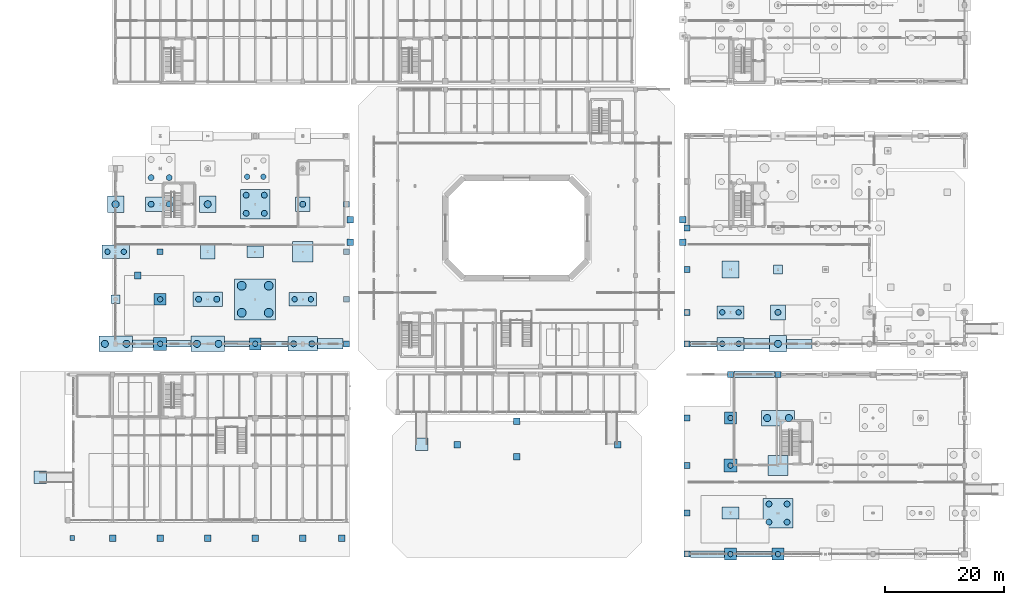
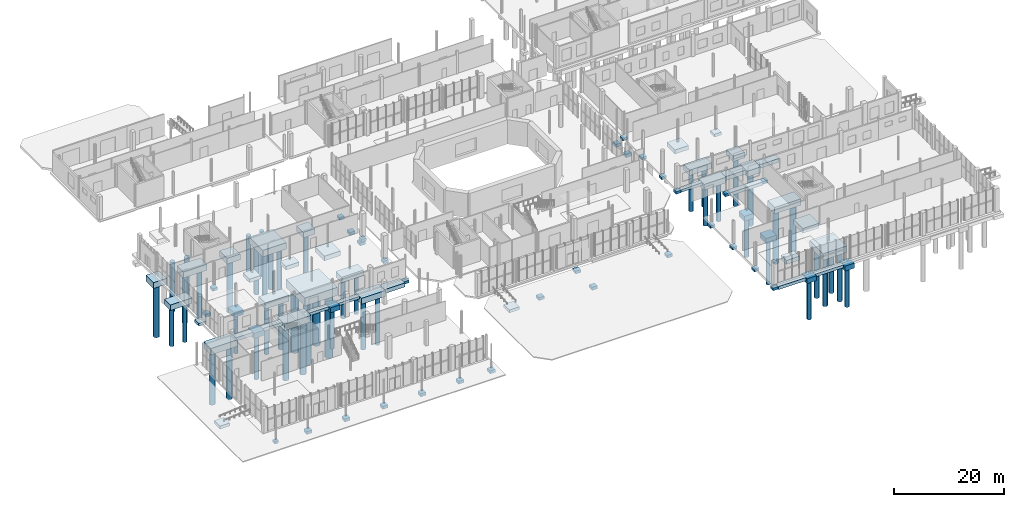
# One storey, part 1 of 87: 77 footings, 48 piles.
"""IFC4 building model written with IfcOpenShell, lengths in metres."""

from ifc_helpers import new_model, si_unit, direction, frame, origin, origin_2d, place, context, subcontext, project, spatial, rectangle, circle, extrude, material, material_profile, profile_set, type_object, element, save


model = new_model("IFC4")

# Units and contexts
model_context = context("Model", 3, precision=1e-05, world=origin(), true_north=direction((0.0, 1.0)))
body_context = subcontext(model_context, "Body", "Model", "MODEL_VIEW")
ifc_project = project(units=[si_unit("LENGTHUNIT", "METRE"), si_unit("AREAUNIT", "SQUARE_METRE"), si_unit("VOLUMEUNIT", "CUBIC_METRE"), si_unit("PLANEANGLEUNIT", "RADIAN"), si_unit("MASSUNIT", "GRAM", prefix="KILO")], contexts=[model_context])

# Site, building, storey
site_placement = place(None, origin())
site = spatial("IfcSite", under=ifc_project, at=site_placement, CompositionType="ELEMENT")
building_placement = place(site_placement, origin())
building = spatial("IfcBuilding", under=site, at=building_placement, Name="Brisemont Oceanarium", CompositionType="ELEMENT")
storey_placement = place(building_placement, origin())
storey = spatial("IfcBuildingStorey", under=building, at=storey_placement, Name="L00", CompositionType="ELEMENT", Elevation=0.0)

# Footings
ifc_material_1 = material(Name="Concrete C40/50", Category="concrete")
footing_type_1 = type_object("IfcFootingType", Name="FTG-PAD-1000", PredefinedType="PAD_FOOTING", material=ifc_material_1)
for number, where, z_axis, x_axis, name in (
    (1, (112.64990234375, 1.10009765625, -1.10009765625), (0.0, 0.0, 1.0), (1.0, 0.0, 0.0), "PF-15 spread footing at (112.7,1.1)"),
    (2, (112.64990234375, 8.0, -1.10009765625), (0.0, 0.0, 1.0), (1.0, 0.0, 0.0), "PF-15 spread footing at (112.7,8.0)"),
    (3, (112.64990234375, 16.0, -1.10009765625), (0.0, 0.0, 1.0), (1.0, 0.0, 0.0), "PF-15 spread footing at (112.7,16.0)"),
    (4, (112.64990234375, 24.0, -1.10009765625), (0.0, 0.0, 1.0), (1.0, 0.0, 0.0), "PF-15 spread footing at (112.7,24.0)"),
    (5, (120.0, 31.35009765625, -1.10009765625), (0.0, 0.0, 1.0), (1.0, 0.0, 0.0), "PF-15 spread footing at (120.0,31.4)"),
    (6, (128.0, 31.35009765625, -1.10009765625), (0.0, 0.0, 1.0), (1.0, 0.0, 0.0), "PF-15 spread footing at (128.0,31.4)"),
    (7, (24.0, 52.0, -1.06005859375), (0.0, 0.0, 1.0), (1.0, 0.0, 0.0), "PF-15 spread footing at (24.0,52.0)"),
    (8, (55.35009765625, 36.5, -1.06005859375), (0.0, 0.0, 1.0), (1.0, 0.0, 0.0), "PF-15 spread footing at (55.4,36.5)"),
    (9, (55.35009765625, 44.0, -1.06005859375), (0.0, 0.0, 1.0), (1.0, 0.0, 0.0), "PF-15 spread footing at (55.4,44.0)"),
    (10, (55.35009765625, 52.0, -1.06005859375), (0.0, 0.0, 1.0), (1.0, 0.0, 0.0), "PF-15 spread footing at (55.4,52.0)"),
    (11, (55.35009765625, 60.0, -1.06005859375), (0.0, 0.0, 1.0), (1.0, 0.0, 0.0), "PF-15 spread footing at (55.4,60.0)"),
    (12, (112.64990234375, 36.5, -1.06005859375), (0.0, 0.0, 1.0), (1.0, 0.0, 0.0), "PF-15 spread footing at (112.7,36.5)"),
    (13, (112.64990234375, 41.800048828125, -1.06005859375), (0.0, 0.0, 1.0), (1.0, 0.0, 0.0), "PF-15 spread footing at (112.7,41.8)"),
    (14, (112.64990234375, 49.0, -1.06005859375), (0.0, 0.0, 1.0), (1.0, 0.0, 0.0), "PF-15 spread footing at (112.7,49.0)"),
    (15, (112.64990234375, 56.0, -1.06005859375), (0.0, 0.0, 1.0), (1.0, 0.0, 0.0), "PF-15 spread footing at (112.7,56.0)"),
):
    element("IfcFooting", number, at=place(storey_placement, frame(where, z_axis=z_axis, x_axis=x_axis)), inside=storey, type_object=footing_type_1, Name=name, PredefinedType="PAD_FOOTING", context=body_context, shape_type="SweptSolid", body=[
        extrude(rectangle(XDim=1.0, YDim=1.0, at=origin_2d()), origin(), (0.0, 0.0, 1.0), 0.60009765625),
    ])
ifc_material_2 = material(Name="Concrete C40/50", Category="concrete")
footing_type_2 = type_object("IfcFootingType", Name="FTG-PAD-1100", PredefinedType="PAD_FOOTING", material=ifc_material_2)
for number, where, z_axis, x_axis, name in (
    (16, (74.0, 19.5, -0.869873046875), (0.0, 0.0, 1.0), (1.0, 0.0, 0.0), "Apron support pad V1PT-1"),
    (17, (101.0, 19.5, -0.869873046875), (0.0, 0.0, 1.0), (1.0, 0.0, 0.0), "Apron support pad V1PT-2"),
    (18, (84.0, 23.5, -0.869873046875), (0.0, 0.0, 1.0), (1.0, 0.0, 0.0), "Apron support pad V1PT-3"),
    (19, (84.0, 17.5, -0.869873046875), (0.0, 0.0, 1.0), (1.0, 0.0, 0.0), "Apron support pad V1PT-4"),
    (20, (56.0, 53.6201171875, -3.050048828125), (0.0, 0.0, 1.0), (1.0, 0.0, 0.0), "PF-14 spread footing at (56.0,53.6)"),
    (21, (56.0, 57.3798828125, -3.050048828125), (0.0, 0.0, 1.0), (1.0, 0.0, 0.0), "PF-14 spread footing at (56.0,57.4)"),
    (22, (112.0, 53.6201171875, -3.050048828125), (0.0, 0.0, 1.0), (1.0, 0.0, 0.0), "PF-14 spread footing at (112.0,53.6)"),
    (23, (112.0, 57.3798828125, -3.050048828125), (0.0, 0.0, 1.0), (1.0, 0.0, 0.0), "PF-14 spread footing at (112.0,57.4)"),
    (24, (20.199951171875, 48.0, -3.050048828125), (0.0, 0.0, 1.0), (1.0, 0.0, 0.0), "PF-14 spread footing at (20.2,48.0)"),
    (25, (16.0, 3.800048828125, -0.869873046875), (0.0, 0.0, 1.0), (1.0, 0.0, 0.0), "PF-14 spread footing at (16.0,3.8)"),
    (26, (24.0, 3.800048828125, -0.869873046875), (0.0, 0.0, 1.0), (1.0, 0.0, 0.0), "PF-14 spread footing at (24.0,3.8)"),
    (27, (32.0, 3.800048828125, -0.869873046875), (0.0, 0.0, 1.0), (1.0, 0.0, 0.0), "PF-14 spread footing at (32.0,3.8)"),
    (28, (40.0, 3.800048828125, -0.869873046875), (0.0, 0.0, 1.0), (1.0, 0.0, 0.0), "PF-14 spread footing at (40.0,3.8)"),
    (29, (48.0, 3.800048828125, -0.869873046875), (0.0, 0.0, 1.0), (1.0, 0.0, 0.0), "PF-14 spread footing at (48.0,3.8)"),
    (30, (54.60009765625, 3.800048828125, -0.869873046875), (0.0, 0.0, 1.0), (1.0, 0.0, 0.0), "PF-14 spread footing at (54.6,3.8)"),
):
    element("IfcFooting", number, at=place(storey_placement, frame(where, z_axis=z_axis, x_axis=x_axis)), inside=storey, type_object=footing_type_2, Name=name, PredefinedType="PAD_FOOTING", context=body_context, shape_type="SweptSolid", body=[
        extrude(rectangle(XDim=1.10009765625, YDim=1.10009765625, at=origin_2d()), origin(), (0.0, 0.0, 1.0), 0.64990234375),
    ])
ifc_material_3 = material(Name="Concrete C40/50", Category="concrete")
footing_type_3 = type_object("IfcFootingType", Name="FTG-PAD-1500", PredefinedType="PAD_FOOTING", material=ifc_material_3)
for number, where, z_axis, x_axis, name in (
    (31, (16.5, 44.0, -1.06005859375), (0.0, 0.0, 1.0), (1.0, 0.0, 0.0), "PF-09 spread footing at (16.5,44.0)"),
    (32, (128.0, 49.0, -1.06005859375), (0.0, 0.0, 1.0), (1.0, 0.0, 0.0), "PF-09 spread footing at (128.0,49.0)"),
):
    element("IfcFooting", number, at=place(storey_placement, frame(where, z_axis=z_axis, x_axis=x_axis)), inside=storey, type_object=footing_type_3, Name=name, PredefinedType="PAD_FOOTING", context=body_context, shape_type="SweptSolid", body=[
        extrude(rectangle(XDim=1.5, YDim=1.5, at=origin_2d()), origin(), (0.0, 0.0, 1.0), 0.60009765625),
    ])
ifc_material_4 = material(Name="Concrete C40/50", Category="concrete")
footing_type_4 = type_object("IfcFootingType", Name="FTG-PAD-2100", PredefinedType="PAD_FOOTING", material=ifc_material_4)
for number, where, z_axis, x_axis, name in (
    (33, (3.800048828125, 14.0, -1.079833984375), (0.0, 0.0, 1.0), (1.0, 0.0, 0.0), "Ramp abutment pad 1A"),
    (34, (68.0, 19.60009765625, -1.079833984375), (0.0, 0.0, 1.0), (1.0, 0.0, 0.0), "Ramp abutment pad 2A"),
):
    element("IfcFooting", number, at=place(storey_placement, frame(where, z_axis=z_axis, x_axis=x_axis)), inside=storey, type_object=footing_type_4, Name=name, PredefinedType="PAD_FOOTING", context=body_context, shape_type="SweptSolid", body=[
        extrude(rectangle(XDim=2.10009765625, YDim=2.10009765625, at=origin_2d()), origin(), (0.0, 0.0, 1.0), 0.64990234375),
    ])
ifc_material_5 = material(Name="Concrete C40/50", Category="concrete")
footing_type_5 = type_object("IfcFootingType", Name="FTG-PAD-2400", PredefinedType="PAD_FOOTING", material=ifc_material_5)
footing_1_placement = place(storey_placement, frame((32.0, 52.0, -1.26025390625), z_axis=(0.0, 0.0, 1.0), x_axis=(1.0, 0.0, 0.0)))
element("IfcFooting", 35, at=footing_1_placement, inside=storey, type_object=footing_type_5, Name="PF-05 spread footing at (32.0,52.0)", PredefinedType="PAD_FOOTING", context=body_context, shape_type="SweptSolid", body=[
    extrude(rectangle(XDim=2.39990234375, YDim=2.39990234375, at=origin_2d()), origin(), (0.0, 0.0, 1.0), 0.800048828125),
])
ifc_material_6 = material(Name="Concrete C40/50", Category="concrete")
footing_type_6 = type_object("IfcFootingType", Name="FTG-PAD-2800X2000", PredefinedType="PAD_FOOTING", material=ifc_material_6)
for number, where, z_axis, x_axis, name in (
    (36, (120.0, 8.0, -1.35009765625), (0.0, 0.0, 1.0), (1.0, 0.0, 0.0), "PF-11 spread footing at (120.0,8.0)"),
    (37, (40.0, 52.0, -1.31005859375), (0.0, 0.0, 1.0), (1.0, 0.0, 0.0), "PF-11 spread footing at (40.0,52.0)"),
):
    element("IfcFooting", number, at=place(storey_placement, frame(where, z_axis=z_axis, x_axis=x_axis)), inside=storey, type_object=footing_type_6, Name=name, PredefinedType="PAD_FOOTING", context=body_context, shape_type="SweptSolid", body=[
        extrude(rectangle(XDim=2.800048828125, YDim=2.0, at=origin_2d()), origin(), (0.0, 0.0, 1.0), 0.85009765625),
    ])
ifc_material_7 = material(Name="Concrete C40/50", Category="concrete")
footing_type_7 = type_object("IfcFootingType", Name="FTG-PAD-2900", PredefinedType="PAD_FOOTING", material=ifc_material_7)
footing_2_placement = place(storey_placement, frame((120.0, 49.0, -1.35986328125), z_axis=(0.0, 0.0, 1.0), x_axis=(1.0, 0.0, 0.0)))
element("IfcFooting", 38, at=footing_2_placement, inside=storey, type_object=footing_type_7, Name="PF-03 spread footing at (120.0,49.0)", PredefinedType="PAD_FOOTING", context=body_context, shape_type="SweptSolid", body=[
    extrude(rectangle(XDim=2.89990234375, YDim=2.89990234375, at=origin_2d()), origin(), (0.0, 0.0, 1.0), 0.89990234375),
])
ifc_material_8 = material(Name="Concrete C40/50", Category="concrete")
footing_type_8 = type_object("IfcFootingType", Name="FTG-PAD-3400", PredefinedType="PAD_FOOTING", material=ifc_material_8)
for number, where, z_axis, x_axis, name in (
    (39, (128.0, 16.0, -1.5498046875), (0.0, 0.0, 1.0), (1.0, 0.0, 0.0), "PF-01 spread footing at (128.0,16.0)"),
    (40, (48.0, 52.0, -1.51025390625), (0.0, 0.0, 1.0), (1.0, 0.0, 0.0), "PF-01 spread footing at (48.0,52.0)"),
):
    element("IfcFooting", number, at=place(storey_placement, frame(where, z_axis=z_axis, x_axis=x_axis)), inside=storey, type_object=footing_type_8, Name=name, PredefinedType="PAD_FOOTING", context=body_context, shape_type="SweptSolid", body=[
        extrude(rectangle(XDim=3.39990234375, YDim=3.39990234375, at=origin_2d()), origin(), (0.0, 0.0, 1.0), 1.050048828125),
    ])
ifc_material_9 = material(Name="Concrete C40/50", Category="concrete")
footing_type_9 = type_object("IfcFootingType", Name="FTG-PAD-800", PredefinedType="PAD_FOOTING", material=ifc_material_9)
footing_3_placement = place(storey_placement, frame((9.199951171875, 3.800048828125, -0.77001953125), z_axis=(0.0, 0.0, 1.0), x_axis=(1.0, 0.0, 0.0)))
element("IfcFooting", 41, at=footing_3_placement, inside=storey, type_object=footing_type_9, Name="PF-16 spread footing at (9.2,3.8)", PredefinedType="PAD_FOOTING", context=body_context, shape_type="SweptSolid", body=[
    extrude(rectangle(XDim=0.800048828125, YDim=0.800048828125, at=origin_2d()), origin(), (0.0, 0.0, 1.0), 0.550048828125),
])
ifc_material_10 = material(Name="Concrete C40/50", Category="concrete")
footing_type_10 = type_object("IfcFootingType", Name="FTG-PC-1P-2000", PredefinedType="PILE_CAP", material=ifc_material_10)
for number, where, z_axis, x_axis, name in (
    (42, (120.0, 1.10009765625, -1.60009765625), (0.0, 0.0, 1.0), (1.0, 0.0, 0.0), "PC-11 pile cap at (120.0,1.1)"),
    (43, (120.0, 24.0, -1.60009765625), (0.0, 0.0, 1.0), (1.0, 0.0, 0.0), "PC-11 pile cap at (120.0,24.0)"),
    (44, (128.0, 1.10009765625, -1.60009765625), (0.0, 0.0, 1.0), (1.0, 0.0, 0.0), "PC-11 pile cap at (128.0,1.1)"),
    (45, (24.0, 44.0, -1.56005859375), (0.0, 0.0, 1.0), (1.0, 0.0, 0.0), "PC-11 pile cap at (24.0,44.0)"),
    (46, (40.0, 36.5, -1.56005859375), (0.0, 0.0, 1.0), (1.0, 0.0, 0.0), "PC-11 pile cap at (40.0,36.5)"),
):
    element("IfcFooting", number, at=place(storey_placement, frame(where, z_axis=z_axis, x_axis=x_axis)), inside=storey, type_object=footing_type_10, Name=name, PredefinedType="PILE_CAP", context=body_context, shape_type="SweptSolid", body=[
        extrude(rectangle(XDim=2.0, YDim=2.0, at=origin_2d()), origin(), (0.0, 0.0, 1.0), 1.10009765625),
    ])
ifc_material_11 = material(Name="Concrete C40/50", Category="concrete")
footing_type_11 = type_object("IfcFootingType", Name="FTG-PC-1P-2200", PredefinedType="PILE_CAP", material=ifc_material_11)
for number, where, z_axis, x_axis, name in (
    (47, (120.0, 16.0, -1.64990234375), (0.0, 0.0, 1.0), (1.0, 0.0, 0.0), "PC-10 pile cap at (120.0,16.0)"),
    (48, (24.0, 36.5, -1.60986328125), (0.0, 0.0, 1.0), (1.0, 0.0, 0.0), "PC-10 pile cap at (24.0,36.5)"),
):
    element("IfcFooting", number, at=place(storey_placement, frame(where, z_axis=z_axis, x_axis=x_axis)), inside=storey, type_object=footing_type_11, Name=name, PredefinedType="PILE_CAP", context=body_context, shape_type="SweptSolid", body=[
        extrude(rectangle(XDim=2.199951171875, YDim=2.199951171875, at=origin_2d()), origin(), (0.0, 0.0, 1.0), 1.14990234375),
    ])
ifc_material_12 = material(Name="Concrete C40/50", Category="concrete")
footing_type_12 = type_object("IfcFootingType", Name="FTG-PC-1P-2500", PredefinedType="PILE_CAP", material=ifc_material_12)
for number, where, z_axis, x_axis, name in (
    (49, (48.0, 60.0, -1.66015625), (0.0, 0.0, 1.0), (1.0, 0.0, 0.0), "PC-09 pile cap at (48.0,60.0)"),
    (50, (128.0, 41.800048828125, -1.66015625), (0.0, 0.0, 1.0), (1.0, 0.0, 0.0), "PC-09 pile cap at (128.0,41.8)"),
):
    element("IfcFooting", number, at=place(storey_placement, frame(where, z_axis=z_axis, x_axis=x_axis)), inside=storey, type_object=footing_type_12, Name=name, PredefinedType="PILE_CAP", context=body_context, shape_type="SweptSolid", body=[
        extrude(rectangle(XDim=2.5, YDim=2.5, at=origin_2d()), origin(), (0.0, 0.0, 1.0), 1.199951171875),
    ])
ifc_material_13 = material(Name="Concrete C40/50", Category="concrete")
footing_type_13 = type_object("IfcFootingType", Name="FTG-PC-1P-2800", PredefinedType="PILE_CAP", material=ifc_material_13)
for number, where, z_axis, x_axis, name in (
    (51, (16.5, 60.0, -1.76025390625), (0.0, 0.0, 1.0), (1.0, 0.0, 0.0), "PC-08 pile cap at (16.5,60.0)"),
    (52, (32.0, 60.0, -1.76025390625), (0.0, 0.0, 1.0), (1.0, 0.0, 0.0), "PC-08 pile cap at (32.0,60.0)"),
    (53, (128.0, 36.5, -1.76025390625), (0.0, 0.0, 1.0), (1.0, 0.0, 0.0), "PC-08 pile cap at (128.0,36.5)"),
):
    element("IfcFooting", number, at=place(storey_placement, frame(where, z_axis=z_axis, x_axis=x_axis)), inside=storey, type_object=footing_type_13, Name=name, PredefinedType="PILE_CAP", context=body_context, shape_type="SweptSolid", body=[
        extrude(rectangle(XDim=2.800048828125, YDim=2.800048828125, at=origin_2d()), origin(), (0.0, 0.0, 1.0), 1.300048828125),
    ])
ifc_material_14 = material(Name="Concrete C40/50", Category="concrete")
footing_type_14 = type_object("IfcFootingType", Name="FTG-PC-2P-4600", PredefinedType="PILE_CAP", material=ifc_material_14)
for number, where, z_axis, x_axis, name in (
    (54, (16.5, 52.0, -1.7099609375), (0.0, 0.0, 1.0), (1.0, 0.0, 0.0), "PC-07 pile cap at (16.5,52.0)"),
    (55, (48.0, 44.0, -1.7099609375), (0.0, 0.0, 1.0), (1.0, 0.0, 0.0), "PC-07 pile cap at (48.0,44.0)"),
    (56, (120.0, 36.5, -1.7099609375), (0.0, 0.0, 1.0), (1.0, 0.0, 0.0), "PC-07 pile cap at (120.0,36.5)"),
    (57, (120.0, 41.800048828125, -1.7099609375), (0.0, 0.0, 1.0), (1.0, 0.0, 0.0), "PC-07 pile cap at (120.0,41.8)"),
):
    element("IfcFooting", number, at=place(storey_placement, frame(where, z_axis=z_axis, x_axis=x_axis)), inside=storey, type_object=footing_type_14, Name=name, PredefinedType="PILE_CAP", context=body_context, shape_type="SweptSolid", body=[
        extrude(rectangle(XDim=4.60009765625, YDim=2.199951171875, at=origin_2d()), origin(), (0.0, 0.0, 1.0), 1.25),
    ])
ifc_material_15 = material(Name="Concrete C40/50", Category="concrete")
footing_type_15 = type_object("IfcFootingType", Name="FTG-PC-2P-5000", PredefinedType="PILE_CAP", material=ifc_material_15)
for number, where, z_axis, x_axis, name in (
    (58, (24.0, 60.0, -1.81005859375), (0.0, 0.0, 1.0), (1.0, 0.0, 0.0), "PC-06 pile cap at (24.0,60.0)"),
    (59, (32.0, 44.0, -1.81005859375), (0.0, 0.0, 1.0), (1.0, 0.0, 0.0), "PC-06 pile cap at (32.0,44.0)"),
    (60, (48.0, 36.5, -1.81005859375), (0.0, 0.0, 1.0), (1.0, 0.0, 0.0), "PC-06 pile cap at (48.0,36.5)"),
):
    element("IfcFooting", number, at=place(storey_placement, frame(where, z_axis=z_axis, x_axis=x_axis)), inside=storey, type_object=footing_type_15, Name=name, PredefinedType="PILE_CAP", context=body_context, shape_type="SweptSolid", body=[
        extrude(rectangle(XDim=5.0, YDim=2.39990234375, at=origin_2d()), origin(), (0.0, 0.0, 1.0), 1.35009765625),
    ])
ifc_material_16 = material(Name="Concrete C40/50", Category="concrete")
footing_type_16 = type_object("IfcFootingType", Name="FTG-PC-2P-5600", PredefinedType="PILE_CAP", material=ifc_material_16)
for number, where, z_axis, x_axis, name in (
    (61, (128.0, 24.0, -1.9501953125), (0.0, 0.0, 1.0), (1.0, 0.0, 0.0), "PC-05 pile cap at (128.0,24.0)"),
    (62, (16.5, 36.5, -1.91015625), (0.0, 0.0, 1.0), (1.0, 0.0, 0.0), "PC-05 pile cap at (16.5,36.5)"),
    (63, (32.0, 36.5, -1.91015625), (0.0, 0.0, 1.0), (1.0, 0.0, 0.0), "PC-05 pile cap at (32.0,36.5)"),
):
    element("IfcFooting", number, at=place(storey_placement, frame(where, z_axis=z_axis, x_axis=x_axis)), inside=storey, type_object=footing_type_16, Name=name, PredefinedType="PILE_CAP", context=body_context, shape_type="SweptSolid", body=[
        extrude(rectangle(XDim=5.60009765625, YDim=2.60009765625, at=origin_2d()), origin(), (0.0, 0.0, 1.0), 1.449951171875),
    ])
ifc_material_17 = material(Name="Concrete C40/50", Category="concrete")
footing_type_17 = type_object("IfcFootingType", Name="FTG-PC-4P-5000", PredefinedType="PILE_CAP", material=ifc_material_17)
for number, where, z_axis, x_axis, name in (
    (64, (128.0, 8.0, -1.9501953125), (0.0, 0.0, 1.0), (1.0, 0.0, 0.0), "PC-03 pile cap at (128.0,8.0)"),
    (65, (40.0, 60.0, -1.91015625), (0.0, 0.0, 1.0), (1.0, 0.0, 0.0), "PC-03 pile cap at (40.0,60.0)"),
):
    element("IfcFooting", number, at=place(storey_placement, frame(where, z_axis=z_axis, x_axis=x_axis)), inside=storey, type_object=footing_type_17, Name=name, PredefinedType="PILE_CAP", context=body_context, shape_type="SweptSolid", body=[
        extrude(rectangle(XDim=5.0, YDim=5.0, at=origin_2d()), origin(), (0.0, 0.0, 1.0), 1.449951171875),
    ])
ifc_material_18 = material(Name="Concrete C40/50", Category="concrete")
footing_type_18 = type_object("IfcFootingType", Name="FTG-PC-4P-6900", PredefinedType="PILE_CAP", material=ifc_material_18)
footing_4_placement = place(storey_placement, frame((40.0, 44.0, -2.26025390625), z_axis=(0.0, 0.0, 1.0), x_axis=(1.0, 0.0, 0.0)))
element("IfcFooting", 66, at=footing_4_placement, inside=storey, type_object=footing_type_18, Name="PC-01 pile cap at (40.0,44.0)", PredefinedType="PILE_CAP", context=body_context, shape_type="SweptSolid", body=[
    extrude(rectangle(XDim=6.89990234375, YDim=6.89990234375, at=origin_2d()), origin(), (0.0, 0.0, 1.0), 1.800048828125),
])
ifc_material_19 = material(Name="Concrete C40/50", Category="concrete")
footing_type_19 = type_object("IfcFootingType", Name="FTG-SF-1100X700", PredefinedType="STRIP_FOOTING", material=ifc_material_19)
footing_5_placement = place(storey_placement, frame((116.125, 1.10009765625, -1.2001953125), z_axis=(0.0, 0.0, 1.0), x_axis=(1.0, 0.0, 0.0)))
element("IfcFooting", 67, at=footing_5_placement, inside=storey, type_object=footing_type_19, Name="SF-04 continuous strip footing", PredefinedType="STRIP_FOOTING", context=body_context, shape_type="SweptSolid", body=[
    extrude(rectangle(XDim=5.75, YDim=1.10009765625, at=origin_2d()), origin(), (0.0, 0.0, 1.0), 0.699951171875),
])
footing_6_placement = place(storey_placement, frame((124.0, 31.35009765625, -1.2001953125), z_axis=(0.0, 0.0, 1.0), x_axis=(1.0, 0.0, 0.0)))
element("IfcFooting", 68, at=footing_6_placement, inside=storey, type_object=footing_type_19, Name="SF-04 continuous strip footing", PredefinedType="STRIP_FOOTING", context=body_context, shape_type="SweptSolid", body=[
    extrude(rectangle(XDim=6.800048828125, YDim=1.10009765625, at=origin_2d()), origin(), (0.0, 0.0, 1.0), 0.699951171875),
])
footing_7_placement = place(storey_placement, frame((27.14990234375, 36.5, -1.16015625), z_axis=(0.0, 0.0, 1.0), x_axis=(1.0, 0.0, 0.0)))
element("IfcFooting", 69, at=footing_7_placement, inside=storey, type_object=footing_type_19, Name="SF-04 continuous strip footing", PredefinedType="STRIP_FOOTING", context=body_context, shape_type="SweptSolid", body=[
    extrude(rectangle(XDim=4.10009765625, YDim=1.10009765625, at=origin_2d()), origin(), (0.0, 0.0, 1.0), 0.699951171875),
])
ifc_material_20 = material(Name="Concrete C40/50", Category="concrete")
footing_type_20 = type_object("IfcFootingType", Name="FTG-SF-1300X750", PredefinedType="STRIP_FOOTING", material=ifc_material_20)
footing_8_placement = place(storey_placement, frame((21.10009765625, 36.5, -1.2099609375), z_axis=(0.0, 0.0, 1.0), x_axis=(1.0, 0.0, 0.0)))
element("IfcFooting", 70, at=footing_8_placement, inside=storey, type_object=footing_type_20, Name="SF-03 continuous strip footing", PredefinedType="STRIP_FOOTING", context=body_context, shape_type="SweptSolid", body=[
    extrude(rectangle(XDim=3.60009765625, YDim=1.300048828125, at=origin_2d()), origin(), (0.0, 0.0, 1.0), 0.75),
])
ifc_material_21 = material(Name="Concrete C40/50", Category="concrete")
footing_type_21 = type_object("IfcFootingType", Name="FTG-SF-1500X800", PredefinedType="STRIP_FOOTING", material=ifc_material_21)
footing_9_placement = place(storey_placement, frame((131.550048828125, 36.5, -1.26025390625), z_axis=(0.0, 0.0, 1.0), x_axis=(1.0, 0.0, 0.0)))
element("IfcFooting", 71, at=footing_9_placement, inside=storey, type_object=footing_type_21, Name="SF-02 continuous strip footing", PredefinedType="STRIP_FOOTING", context=body_context, shape_type="SweptSolid", body=[
    extrude(rectangle(XDim=4.300048828125, YDim=1.5, at=origin_2d()), origin(), (0.0, 0.0, 1.0), 0.800048828125),
])
ifc_material_22 = material(Name="Concrete C40/50", Category="concrete")
footing_type_22 = type_object("IfcFootingType", Name="FTG-SF-1800X900", PredefinedType="STRIP_FOOTING", material=ifc_material_22)
footing_10_placement = place(storey_placement, frame((52.625, 36.5, -1.35986328125), z_axis=(0.0, 0.0, 1.0), x_axis=(1.0, 0.0, 0.0)))
element("IfcFooting", 72, at=footing_10_placement, inside=storey, type_object=footing_type_22, Name="SF-01 continuous strip footing", PredefinedType="STRIP_FOOTING", context=body_context, shape_type="SweptSolid", body=[
    extrude(rectangle(XDim=4.25, YDim=1.800048828125, at=origin_2d()), origin(), (0.0, 0.0, 1.0), 0.89990234375),
])
footing_11_placement = place(storey_placement, frame((124.449951171875, 36.5, -1.35986328125), z_axis=(0.0, 0.0, 1.0), x_axis=(1.0, 0.0, 0.0)))
element("IfcFooting", 73, at=footing_11_placement, inside=storey, type_object=footing_type_22, Name="SF-01 continuous strip footing", PredefinedType="STRIP_FOOTING", context=body_context, shape_type="SweptSolid", body=[
    extrude(rectangle(XDim=4.300048828125, YDim=1.800048828125, at=origin_2d()), origin(), (0.0, 0.0, 1.0), 0.89990234375),
])
ifc_material_23 = material(Name="Concrete C40/50", Category="concrete")
footing_type_23 = type_object("IfcFootingType", Name="FTG-SF-850X600", PredefinedType="STRIP_FOOTING", material=ifc_material_23)
footing_12_placement = place(storey_placement, frame((43.25, 36.5, -1.06005859375), z_axis=(0.0, 0.0, 1.0), x_axis=(1.0, 0.0, 0.0)))
element("IfcFooting", 74, at=footing_12_placement, inside=storey, type_object=footing_type_23, Name="SF-06 continuous strip footing", PredefinedType="STRIP_FOOTING", context=body_context, shape_type="SweptSolid", body=[
    extrude(rectangle(XDim=4.5, YDim=0.85009765625, at=origin_2d()), origin(), (0.0, 0.0, 1.0), 0.60009765625),
])
footing_13_placement = place(storey_placement, frame((115.47509765625, 36.5, -1.06005859375), z_axis=(0.0, 0.0, 1.0), x_axis=(1.0, 0.0, 0.0)))
element("IfcFooting", 75, at=footing_13_placement, inside=storey, type_object=footing_type_23, Name="SF-06 continuous strip footing", PredefinedType="STRIP_FOOTING", context=body_context, shape_type="SweptSolid", body=[
    extrude(rectangle(XDim=4.449951171875, YDim=0.85009765625, at=origin_2d()), origin(), (0.0, 0.0, 1.0), 0.60009765625),
])
ifc_material_24 = material(Name="Concrete C40/50", Category="concrete")
footing_type_24 = type_object("IfcFootingType", Name="FTG-SF-950X650", PredefinedType="STRIP_FOOTING", material=ifc_material_24)
footing_14_placement = place(storey_placement, frame((124.0, 1.10009765625, -1.14990234375), z_axis=(0.0, 0.0, 1.0), x_axis=(1.0, 0.0, 0.0)))
element("IfcFooting", 76, at=footing_14_placement, inside=storey, type_object=footing_type_24, Name="SF-05 continuous strip footing", PredefinedType="STRIP_FOOTING", context=body_context, shape_type="SweptSolid", body=[
    extrude(rectangle(XDim=6.0, YDim=0.949951171875, at=origin_2d()), origin(), (0.0, 0.0, 1.0), 0.64990234375),
])
footing_15_placement = place(storey_placement, frame((36.89990234375, 36.5, -1.10986328125), z_axis=(0.0, 0.0, 1.0), x_axis=(1.0, 0.0, 0.0)))
element("IfcFooting", 77, at=footing_15_placement, inside=storey, type_object=footing_type_24, Name="SF-05 continuous strip footing", PredefinedType="STRIP_FOOTING", context=body_context, shape_type="SweptSolid", body=[
    extrude(rectangle(XDim=4.199951171875, YDim=0.949951171875, at=origin_2d()), origin(), (0.0, 0.0, 1.0), 0.64990234375),
])

# Piles
ifc_material_25 = material(Name="Concrete C40/50", Category="concrete")
ifc_material_profile_1 = material_profile(ifc_material_25, circle(Radius=0.5, at=origin_2d()), Name="CIDH-D1000")
ifc_profile_set_1 = profile_set([ifc_material_profile_1], Name="Concrete C40/50")
pile_type_1 = type_object("IfcPileType", Name="PIL-CIDH-1000-11", PredefinedType="BORED", material=ifc_profile_set_1)
for number, where, z_axis, x_axis, name in (
    (78, (126.47509765625, 6.47509765625, -1.85009765625), (0.0, 0.0, -1.0), (1.0, 0.0, 0.0), "P-04 rock-socketed shaft 1"),
    (79, (129.52490234375, 6.47509765625, -1.85009765625), (0.0, 0.0, -1.0), (1.0, 0.0, 0.0), "P-04 rock-socketed shaft 2"),
    (80, (126.47509765625, 9.52490234375, -1.85009765625), (0.0, 0.0, -1.0), (1.0, 0.0, 0.0), "P-04 rock-socketed shaft 3"),
    (81, (129.52490234375, 9.52490234375, -1.85009765625), (0.0, 0.0, -1.0), (1.0, 0.0, 0.0), "P-04 rock-socketed shaft 4"),
    (82, (22.47509765625, 60.0, -1.7099609375), (0.0, 0.0, -1.0), (1.0, 0.0, 0.0), "P-04 rock-socketed shaft 1"),
    (83, (25.52490234375, 60.0, -1.7099609375), (0.0, 0.0, -1.0), (1.0, 0.0, 0.0), "P-04 rock-socketed shaft 2"),
    (84, (22.47509765625, 64.47509765625, -1.81005859375), (0.0, 0.0, -1.0), (1.0, 0.0, 0.0), "P-04 rock-socketed shaft 1"),
    (85, (25.52490234375, 64.47509765625, -1.81005859375), (0.0, 0.0, -1.0), (1.0, 0.0, 0.0), "P-04 rock-socketed shaft 2"),
    (86, (30.47509765625, 44.0, -1.7099609375), (0.0, 0.0, -1.0), (1.0, 0.0, 0.0), "P-04 rock-socketed shaft 1"),
    (87, (33.52490234375, 44.0, -1.7099609375), (0.0, 0.0, -1.0), (1.0, 0.0, 0.0), "P-04 rock-socketed shaft 2"),
    (88, (38.47509765625, 58.47509765625, -1.81005859375), (0.0, 0.0, -1.0), (1.0, 0.0, 0.0), "P-04 rock-socketed shaft 1"),
    (89, (41.52490234375, 58.47509765625, -1.81005859375), (0.0, 0.0, -1.0), (1.0, 0.0, 0.0), "P-04 rock-socketed shaft 2"),
    (90, (38.47509765625, 61.52490234375, -1.81005859375), (0.0, 0.0, -1.0), (1.0, 0.0, 0.0), "P-04 rock-socketed shaft 3"),
    (91, (41.52490234375, 61.52490234375, -1.81005859375), (0.0, 0.0, -1.0), (1.0, 0.0, 0.0), "P-04 rock-socketed shaft 4"),
    (92, (46.47509765625, 36.5, -1.7099609375), (0.0, 0.0, -1.0), (1.0, 0.0, 0.0), "P-04 rock-socketed shaft 1"),
    (93, (49.52490234375, 36.5, -1.7099609375), (0.0, 0.0, -1.0), (1.0, 0.0, 0.0), "P-04 rock-socketed shaft 2"),
    (94, (48.0, 60.0, -1.56005859375), (0.0, 0.0, -1.0), (1.0, 0.0, 0.0), "P-04 rock-socketed shaft 1"),
    (95, (128.0, 41.800048828125, -1.56005859375), (0.0, 0.0, -1.0), (1.0, 0.0, 0.0), "P-04 rock-socketed shaft 1"),
):
    element("IfcPile", number, at=place(storey_placement, frame(where, z_axis=z_axis, x_axis=x_axis)), inside=storey, type_object=pile_type_1, Name=name, PredefinedType="BORED", context=body_context, shape_type="SweptSolid", body=[
        extrude(circle(Radius=0.5, at=origin_2d()), origin(), (0.0, 0.0, 1.0), 11.0),
    ])
ifc_material_26 = material(Name="Concrete C40/50", Category="concrete")
ifc_material_profile_2 = material_profile(ifc_material_26, circle(Radius=0.60009765625, at=origin_2d()), Name="CIDH-D1200")
ifc_profile_set_2 = profile_set([ifc_material_profile_2], Name="Concrete C40/50")
pile_type_2 = type_object("IfcPileType", Name="PIL-CIDH-1200-12", PredefinedType="BORED", material=ifc_profile_set_2)
for number, where, z_axis, x_axis, name in (
    (96, (126.175048828125, 24.0, -1.85009765625), (0.0, 0.0, -1.0), (1.0, 0.0, 0.0), "P-03 rock-socketed shaft 1"),
    (97, (129.824951171875, 24.0, -1.85009765625), (0.0, 0.0, -1.0), (1.0, 0.0, 0.0), "P-03 rock-socketed shaft 2"),
    (98, (14.675048828125, 36.5, -1.81005859375), (0.0, 0.0, -1.0), (1.0, 0.0, 0.0), "P-03 rock-socketed shaft 1"),
    (99, (18.324951171875, 36.5, -1.81005859375), (0.0, 0.0, -1.0), (1.0, 0.0, 0.0), "P-03 rock-socketed shaft 2"),
    (100, (16.5, 60.0, -1.659912109375), (0.0, 0.0, -1.0), (1.0, 0.0, 0.0), "P-03 rock-socketed shaft 1"),
    (101, (30.175048828125, 36.5, -1.81005859375), (0.0, 0.0, -1.0), (1.0, 0.0, 0.0), "P-03 rock-socketed shaft 1"),
    (102, (33.824951171875, 36.5, -1.81005859375), (0.0, 0.0, -1.0), (1.0, 0.0, 0.0), "P-03 rock-socketed shaft 2"),
    (103, (32.0, 60.0, -1.659912109375), (0.0, 0.0, -1.0), (1.0, 0.0, 0.0), "P-03 rock-socketed shaft 1"),
    (104, (128.0, 36.5, -1.659912109375), (0.0, 0.0, -1.0), (1.0, 0.0, 0.0), "P-03 rock-socketed shaft 1"),
):
    element("IfcPile", number, at=place(storey_placement, frame(where, z_axis=z_axis, x_axis=x_axis)), inside=storey, type_object=pile_type_2, Name=name, PredefinedType="BORED", context=body_context, shape_type="SweptSolid", body=[
        extrude(circle(Radius=0.60009765625, at=origin_2d()), origin(), (0.0, 0.0, 1.0), 12.0),
    ])
ifc_material_27 = material(Name="Concrete C40/50", Category="concrete")
ifc_material_profile_3 = material_profile(ifc_material_27, circle(Radius=0.75, at=origin_2d()), Name="CIDH-D1500")
ifc_profile_set_3 = profile_set([ifc_material_profile_3], Name="Concrete C40/50")
pile_type_3 = type_object("IfcPileType", Name="PIL-CIDH-1500-14", PredefinedType="BORED", material=ifc_profile_set_3)
for number, where, z_axis, x_axis, name in (
    (105, (37.72509765625, 41.72509765625, -2.159912109375), (0.0, 0.0, -1.0), (1.0, 0.0, 0.0), "P-01 rock-socketed shaft 1"),
    (106, (42.27490234375, 41.72509765625, -2.159912109375), (0.0, 0.0, -1.0), (1.0, 0.0, 0.0), "P-01 rock-socketed shaft 2"),
    (107, (37.72509765625, 46.27490234375, -2.159912109375), (0.0, 0.0, -1.0), (1.0, 0.0, 0.0), "P-01 rock-socketed shaft 3"),
    (108, (42.27490234375, 46.27490234375, -2.159912109375), (0.0, 0.0, -1.0), (1.0, 0.0, 0.0), "P-01 rock-socketed shaft 4"),
):
    element("IfcPile", number, at=place(storey_placement, frame(where, z_axis=z_axis, x_axis=x_axis)), inside=storey, type_object=pile_type_3, Name=name, PredefinedType="BORED", context=body_context, shape_type="SweptSolid", body=[
        extrude(circle(Radius=0.75, at=origin_2d()), origin(), (0.0, 0.0, 1.0), 14.0),
    ])
ifc_material_28 = material(Name="Concrete C40/50", Category="concrete")
ifc_material_profile_4 = material_profile(ifc_material_28, circle(Radius=0.449951171875, at=origin_2d()), Name="CIDH-D900")
ifc_profile_set_4 = profile_set([ifc_material_profile_4], Name="Concrete C40/50")
pile_type_4 = type_object("IfcPileType", Name="PIL-CIDH-900-09", PredefinedType="BORED", material=ifc_profile_set_4)
for number, where, z_axis, x_axis, name in (
    (109, (120.0, 1.10009765625, -1.5), (0.0, 0.0, -1.0), (1.0, 0.0, 0.0), "P-07 rock-socketed shaft 1"),
    (110, (120.0, 24.0, -1.5), (0.0, 0.0, -1.0), (1.0, 0.0, 0.0), "P-07 rock-socketed shaft 1"),
    (111, (128.0, 1.10009765625, -1.5), (0.0, 0.0, -1.0), (1.0, 0.0, 0.0), "P-07 rock-socketed shaft 1"),
    (112, (15.125, 52.0, -1.610107421875), (0.0, 0.0, -1.0), (1.0, 0.0, 0.0), "P-07 rock-socketed shaft 1"),
    (113, (17.875, 52.0, -1.610107421875), (0.0, 0.0, -1.0), (1.0, 0.0, 0.0), "P-07 rock-socketed shaft 2"),
    (114, (24.0, 44.0, -1.4599609375), (0.0, 0.0, -1.0), (1.0, 0.0, 0.0), "P-07 rock-socketed shaft 1"),
    (115, (40.0, 36.5, -1.4599609375), (0.0, 0.0, -1.0), (1.0, 0.0, 0.0), "P-07 rock-socketed shaft 1"),
    (116, (46.625, 44.0, -1.610107421875), (0.0, 0.0, -1.0), (1.0, 0.0, 0.0), "P-07 rock-socketed shaft 1"),
    (117, (49.375, 44.0, -1.610107421875), (0.0, 0.0, -1.0), (1.0, 0.0, 0.0), "P-07 rock-socketed shaft 2"),
    (118, (118.625, 36.5, -1.610107421875), (0.0, 0.0, -1.0), (1.0, 0.0, 0.0), "P-07 rock-socketed shaft 1"),
    (119, (121.375, 36.5, -1.610107421875), (0.0, 0.0, -1.0), (1.0, 0.0, 0.0), "P-07 rock-socketed shaft 2"),
    (120, (118.625, 41.800048828125, -1.610107421875), (0.0, 0.0, -1.0), (1.0, 0.0, 0.0), "P-07 rock-socketed shaft 1"),
    (121, (121.375, 41.800048828125, -1.610107421875), (0.0, 0.0, -1.0), (1.0, 0.0, 0.0), "P-07 rock-socketed shaft 2"),
):
    element("IfcPile", number, at=place(storey_placement, frame(where, z_axis=z_axis, x_axis=x_axis)), inside=storey, type_object=pile_type_4, Name=name, PredefinedType="BORED", context=body_context, shape_type="SweptSolid", body=[
        extrude(circle(Radius=0.449951171875, at=origin_2d()), origin(), (0.0, 0.0, 1.0), 8.800048828125),
    ])
ifc_material_29 = material(Name="Concrete C40/50", Category="concrete")
ifc_material_profile_5 = material_profile(ifc_material_29, circle(Radius=0.449951171875, at=origin_2d()), Name="CIDH-D900")
ifc_profile_set_5 = profile_set([ifc_material_profile_5], Name="Concrete C40/50")
pile_type_5 = type_object("IfcPileType", Name="PIL-CIDH-900-10", PredefinedType="BORED", material=ifc_profile_set_5)
for number, where, z_axis, x_axis, name in (
    (122, (120.0, 16.0, -1.550048828125), (0.0, 0.0, -1.0), (1.0, 0.0, 0.0), "P-06 rock-socketed shaft 1"),
    (123, (24.0, 36.5, -1.510009765625), (0.0, 0.0, -1.0), (1.0, 0.0, 0.0), "P-06 rock-socketed shaft 1"),
    (124, (38.625, 64.625, -1.7099609375), (0.0, 0.0, -1.0), (1.0, 0.0, 0.0), "P-06 rock-socketed shaft 1"),
    (125, (41.375, 64.625, -1.7099609375), (0.0, 0.0, -1.0), (1.0, 0.0, 0.0), "P-06 rock-socketed shaft 2"),
):
    element("IfcPile", number, at=place(storey_placement, frame(where, z_axis=z_axis, x_axis=x_axis)), inside=storey, type_object=pile_type_5, Name=name, PredefinedType="BORED", context=body_context, shape_type="SweptSolid", body=[
        extrude(circle(Radius=0.449951171875, at=origin_2d()), origin(), (0.0, 0.0, 1.0), 10.0),
    ])

save(model, "model.ifc")
